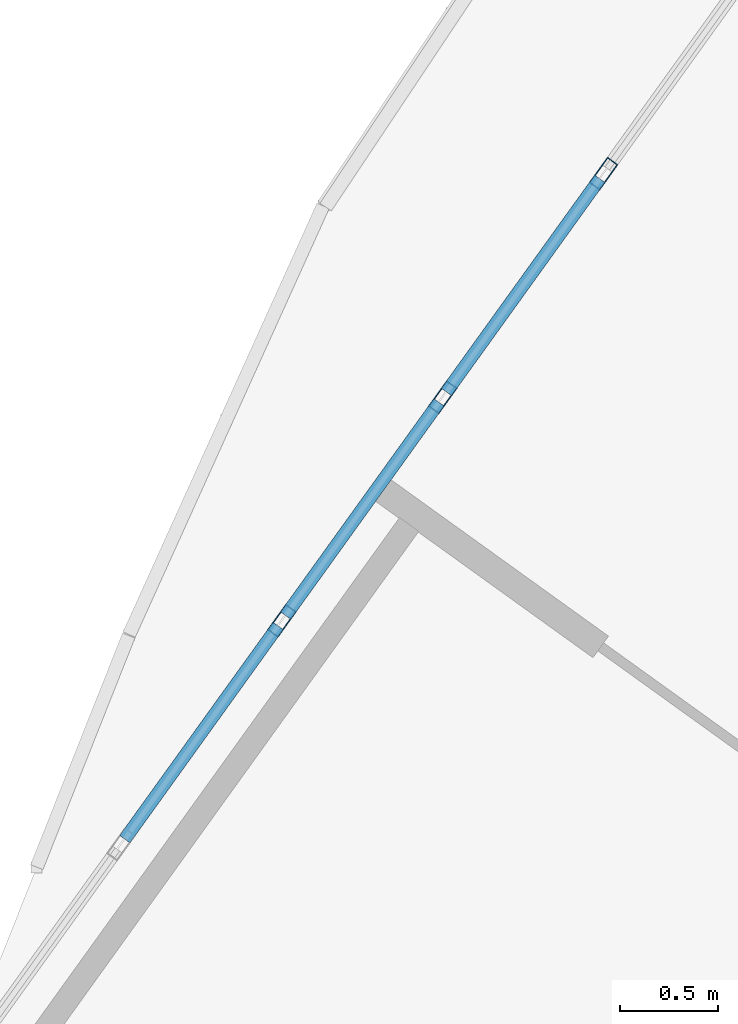
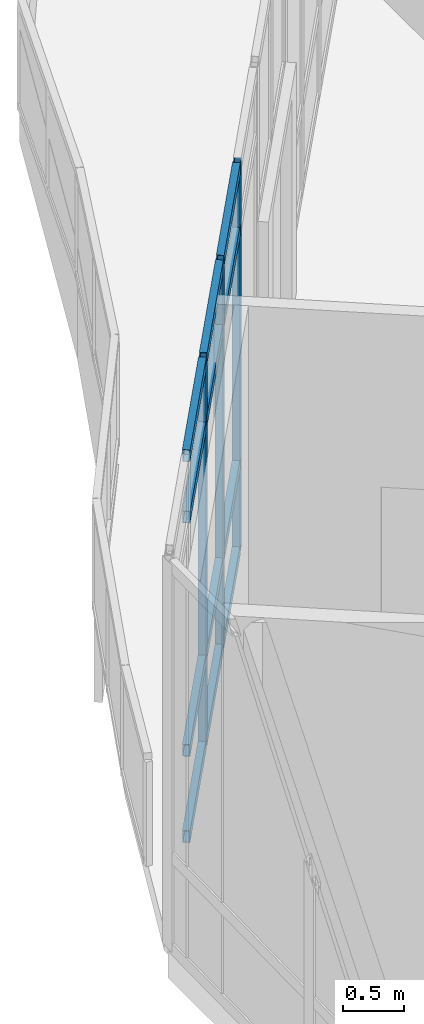
# One storey, part 17 of 184: 15 members, 1 element without a shape of its own.
"""IFC4 building model written with IfcOpenShell, lengths in metres."""

from ifc_helpers import new_model, si_unit, direction, frame, origin, origin_2d, place, context, subcontext, project, spatial, hollow_rectangle, extrude, material, material_profile, profile_set, type_object, element, aggregate, save


model = new_model("IFC4")

# Units and contexts
model_context = context("Model", 3, precision=1e-05, world=origin(), true_north=direction((0.0, 1.0)))
body_context = subcontext(model_context, "Body", "Model", "MODEL_VIEW")
ifc_project = project(units=[si_unit("LENGTHUNIT", "METRE"), si_unit("AREAUNIT", "SQUARE_METRE"), si_unit("VOLUMEUNIT", "CUBIC_METRE"), si_unit("PLANEANGLEUNIT", "RADIAN"), si_unit("MASSUNIT", "GRAM", prefix="KILO")], contexts=[model_context])

# Site, building, storey
site_placement = place(None, origin())
site = spatial("IfcSite", under=ifc_project, at=site_placement, CompositionType="ELEMENT")
building_placement = place(site_placement, origin())
building = spatial("IfcBuilding", under=site, at=building_placement, Name="Selatvlak General Hospital", CompositionType="ELEMENT")
storey_placement = place(building_placement, frame((0.0, 0.0, 15.0)))
storey = spatial("IfcBuildingStorey", under=building, at=storey_placement, Name="L03", CompositionType="ELEMENT", Elevation=15.0)

# Curtain wall, members
ifc_material_1 = material(Name="Solar-control Low-E double glazing", Category="glass")
curtain_wall_type = type_object("IfcCurtainWallType", Name="CW-CW-01", PredefinedType="USERDEFINED", material=ifc_material_1)
curtain_wall_placement = place(storey_placement, origin())
curtain_wall = element("IfcCurtainWall", 1, at=curtain_wall_placement, inside=storey, type_object=curtain_wall_type, Name="Glazed facade curtain wall CW-L03-0440", ObjectType="UNITISED CURTAIN WALL", PredefinedType="USERDEFINED")
ifc_material_2 = material(Name="Dark anodised aluminium mullion", Category="aluminium")
ifc_material_profile_1 = material_profile(ifc_material_2, hollow_rectangle(XDim=0.06494140625, YDim=0.159912109375, WallThickness=0.00390625, at=origin_2d()), Name="AL-MUL 65x160x4")
ifc_profile_set_1 = profile_set([ifc_material_profile_1], Name="Dark anodised aluminium mullion")
member_type_1 = type_object("IfcMemberType", Name="CWM-01", PredefinedType="MULLION", material=ifc_profile_set_1)
member_1_placement = place(storey_placement, frame((24.47802734375, 39.239990234375, 0.0), z_axis=(0.0, 0.0, 1.0), x_axis=(-0.81180439095, 0.583929474196, 0.0)))
member_1 = element("IfcMember", 2, at=member_1_placement, type_object=member_type_1, Name="CW-01 mullion 3", PredefinedType="MULLION", context=body_context, shape_type="SweptSolid", body=[
    extrude(hollow_rectangle(XDim=0.06494140625, YDim=0.159912109375, WallThickness=0.00390625, at=origin_2d()), origin(), (0.0, 0.0, 1.0), 3.89501953125),
])
member_2_placement = place(storey_placement, frame((25.298095703125, 40.3798828125, 0.0), z_axis=(0.0, 0.0, 1.0), x_axis=(-0.81180439095, 0.583929474196, 0.0)))
member_2 = element("IfcMember", 3, at=member_2_placement, type_object=member_type_1, Name="CW-01 mullion 4", PredefinedType="MULLION", context=body_context, shape_type="SweptSolid", body=[
    extrude(hollow_rectangle(XDim=0.06494140625, YDim=0.159912109375, WallThickness=0.00390625, at=origin_2d()), origin(), (0.0, 0.0, 1.0), 3.89501953125),
])
member_3_placement = place(storey_placement, frame((26.117919921875, 41.52001953125, 0.0), z_axis=(0.0, 0.0, 1.0), x_axis=(-0.81180439095, 0.583929474196, 0.0)))
member_3 = element("IfcMember", 4, at=member_3_placement, type_object=member_type_1, Name="CW-01 mullion 5", PredefinedType="MULLION", context=body_context, shape_type="SweptSolid", body=[
    extrude(hollow_rectangle(XDim=0.06494140625, YDim=0.159912109375, WallThickness=0.00390625, at=origin_2d()), origin(), (0.0, 0.0, 1.0), 3.89501953125),
])
ifc_material_profile_2 = material_profile(ifc_material_2, hollow_rectangle(XDim=0.06494140625, YDim=0.1201171875, WallThickness=0.00390625, at=origin_2d()), Name="AL-TRN 65x120x4")
ifc_profile_set_2 = profile_set([ifc_material_profile_2], Name="Dark anodised aluminium mullion")
member_type_2 = type_object("IfcMemberType", Name="CWT-01", PredefinedType="USERDEFINED", material=ifc_profile_set_2)
member_4_placement = place(storey_placement, frame((23.677001953125, 38.12646484375, 0.032470703125), z_axis=(0.583925258596, 0.811807423206, 0.0), x_axis=(-0.811807423206, 0.583925258596, 0.0)))
member_4 = element("IfcMember", 5, at=member_4_placement, type_object=member_type_2, Name="CW-01 transom 2.1", ObjectType="TRANSOM", PredefinedType="USERDEFINED", context=body_context, shape_type="SweptSolid", body=[
    extrude(hollow_rectangle(XDim=0.06494140625, YDim=0.1201171875, WallThickness=0.00390625, at=origin_2d()), origin(), (0.0, 0.0, 1.0), 1.339111328125),
])
member_5_placement = place(storey_placement, frame((23.677001953125, 38.12646484375, 0.89990234375), z_axis=(0.583925258596, 0.811807423206, 0.0), x_axis=(-0.811807423206, 0.583925258596, 0.0)))
member_5 = element("IfcMember", 6, at=member_5_placement, type_object=member_type_2, Name="CW-01 transom 2.2", ObjectType="TRANSOM", PredefinedType="USERDEFINED", context=body_context, shape_type="SweptSolid", body=[
    extrude(hollow_rectangle(XDim=0.06494140625, YDim=0.1201171875, WallThickness=0.00390625, at=origin_2d()), origin(), (0.0, 0.0, 1.0), 1.339111328125),
])
member_6_placement = place(storey_placement, frame((23.677001953125, 38.12646484375, 3.2451171875), z_axis=(0.583925258596, 0.811807423206, 0.0), x_axis=(-0.811807423206, 0.583925258596, 0.0)))
member_6 = element("IfcMember", 7, at=member_6_placement, type_object=member_type_2, Name="CW-01 transom 2.3", ObjectType="TRANSOM", PredefinedType="USERDEFINED", context=body_context, shape_type="SweptSolid", body=[
    extrude(hollow_rectangle(XDim=0.06494140625, YDim=0.1201171875, WallThickness=0.00390625, at=origin_2d()), origin(), (0.0, 0.0, 1.0), 1.339111328125),
])
member_7_placement = place(storey_placement, frame((23.677001953125, 38.12646484375, 3.862548828125), z_axis=(0.583925258596, 0.811807423206, 0.0), x_axis=(-0.811807423206, 0.583925258596, 0.0)))
member_7 = element("IfcMember", 8, at=member_7_placement, type_object=member_type_2, Name="CW-01 transom 2.4", ObjectType="TRANSOM", PredefinedType="USERDEFINED", context=body_context, shape_type="SweptSolid", body=[
    extrude(hollow_rectangle(XDim=0.06494140625, YDim=0.1201171875, WallThickness=0.00390625, at=origin_2d()), origin(), (0.0, 0.0, 1.0), 1.339111328125),
])
member_8_placement = place(storey_placement, frame((24.4970703125, 39.266357421875, 0.032470703125), z_axis=(0.583925258596, 0.811807423206, 0.0), x_axis=(-0.811807423206, 0.583925258596, 0.0)))
member_8 = element("IfcMember", 9, at=member_8_placement, type_object=member_type_2, Name="CW-01 transom 3.1", ObjectType="TRANSOM", PredefinedType="USERDEFINED", context=body_context, shape_type="SweptSolid", body=[
    extrude(hollow_rectangle(XDim=0.06494140625, YDim=0.1201171875, WallThickness=0.00390625, at=origin_2d()), origin(), (0.0, 0.0, 1.0), 1.339111328125),
])
member_9_placement = place(storey_placement, frame((24.4970703125, 39.266357421875, 0.89990234375), z_axis=(0.583925258596, 0.811807423206, 0.0), x_axis=(-0.811807423206, 0.583925258596, 0.0)))
member_9 = element("IfcMember", 10, at=member_9_placement, type_object=member_type_2, Name="CW-01 transom 3.2", ObjectType="TRANSOM", PredefinedType="USERDEFINED", context=body_context, shape_type="SweptSolid", body=[
    extrude(hollow_rectangle(XDim=0.06494140625, YDim=0.1201171875, WallThickness=0.00390625, at=origin_2d()), origin(), (0.0, 0.0, 1.0), 1.339111328125),
])
member_10_placement = place(storey_placement, frame((24.4970703125, 39.266357421875, 3.2451171875), z_axis=(0.583925258596, 0.811807423206, 0.0), x_axis=(-0.811807423206, 0.583925258596, 0.0)))
member_10 = element("IfcMember", 11, at=member_10_placement, type_object=member_type_2, Name="CW-01 transom 3.3", ObjectType="TRANSOM", PredefinedType="USERDEFINED", context=body_context, shape_type="SweptSolid", body=[
    extrude(hollow_rectangle(XDim=0.06494140625, YDim=0.1201171875, WallThickness=0.00390625, at=origin_2d()), origin(), (0.0, 0.0, 1.0), 1.339111328125),
])
member_11_placement = place(storey_placement, frame((24.4970703125, 39.266357421875, 3.862548828125), z_axis=(0.583925258596, 0.811807423206, 0.0), x_axis=(-0.811807423206, 0.583925258596, 0.0)))
member_11 = element("IfcMember", 12, at=member_11_placement, type_object=member_type_2, Name="CW-01 transom 3.4", ObjectType="TRANSOM", PredefinedType="USERDEFINED", context=body_context, shape_type="SweptSolid", body=[
    extrude(hollow_rectangle(XDim=0.06494140625, YDim=0.1201171875, WallThickness=0.00390625, at=origin_2d()), origin(), (0.0, 0.0, 1.0), 1.339111328125),
])
member_12_placement = place(storey_placement, frame((25.31689453125, 40.406494140625, 0.032470703125), z_axis=(0.584045384595, 0.811721004245, 0.0), x_axis=(-0.811721004245, 0.584045384595, 0.0)))
member_12 = element("IfcMember", 13, at=member_12_placement, type_object=member_type_2, Name="CW-01 transom 4.1", ObjectType="TRANSOM", PredefinedType="USERDEFINED", context=body_context, shape_type="SweptSolid", body=[
    extrude(hollow_rectangle(XDim=0.06494140625, YDim=0.1201171875, WallThickness=0.00390625, at=origin_2d()), origin(), (0.0, 0.0, 1.0), 1.33935546875),
])
member_13_placement = place(storey_placement, frame((25.31689453125, 40.406494140625, 0.89990234375), z_axis=(0.584045384595, 0.811721004245, 0.0), x_axis=(-0.811721004245, 0.584045384595, 0.0)))
member_13 = element("IfcMember", 14, at=member_13_placement, type_object=member_type_2, Name="CW-01 transom 4.2", ObjectType="TRANSOM", PredefinedType="USERDEFINED", context=body_context, shape_type="SweptSolid", body=[
    extrude(hollow_rectangle(XDim=0.06494140625, YDim=0.1201171875, WallThickness=0.00390625, at=origin_2d()), origin(), (0.0, 0.0, 1.0), 1.33935546875),
])
member_14_placement = place(storey_placement, frame((25.31689453125, 40.406494140625, 3.2451171875), z_axis=(0.584045384595, 0.811721004245, 0.0), x_axis=(-0.811721004245, 0.584045384595, 0.0)))
member_14 = element("IfcMember", 15, at=member_14_placement, type_object=member_type_2, Name="CW-01 transom 4.3", ObjectType="TRANSOM", PredefinedType="USERDEFINED", context=body_context, shape_type="SweptSolid", body=[
    extrude(hollow_rectangle(XDim=0.06494140625, YDim=0.1201171875, WallThickness=0.00390625, at=origin_2d()), origin(), (0.0, 0.0, 1.0), 1.33935546875),
])
member_15_placement = place(storey_placement, frame((25.31689453125, 40.406494140625, 3.862548828125), z_axis=(0.584045384595, 0.811721004245, 0.0), x_axis=(-0.811721004245, 0.584045384595, 0.0)))
member_15 = element("IfcMember", 16, at=member_15_placement, type_object=member_type_2, Name="CW-01 transom 4.4", ObjectType="TRANSOM", PredefinedType="USERDEFINED", context=body_context, shape_type="SweptSolid", body=[
    extrude(hollow_rectangle(XDim=0.06494140625, YDim=0.1201171875, WallThickness=0.00390625, at=origin_2d()), origin(), (0.0, 0.0, 1.0), 1.33935546875),
])
aggregate(curtain_wall, [member_1, member_2, member_3, member_4, member_5, member_6, member_7, member_8, member_9, member_10, member_11, member_12, member_13, member_14, member_15])

save(model, "model.ifc")
